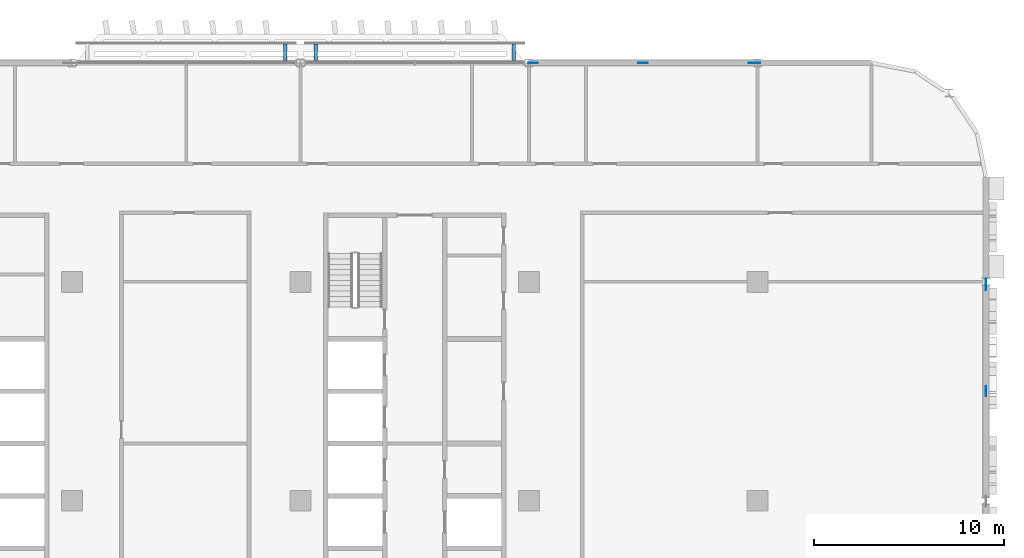
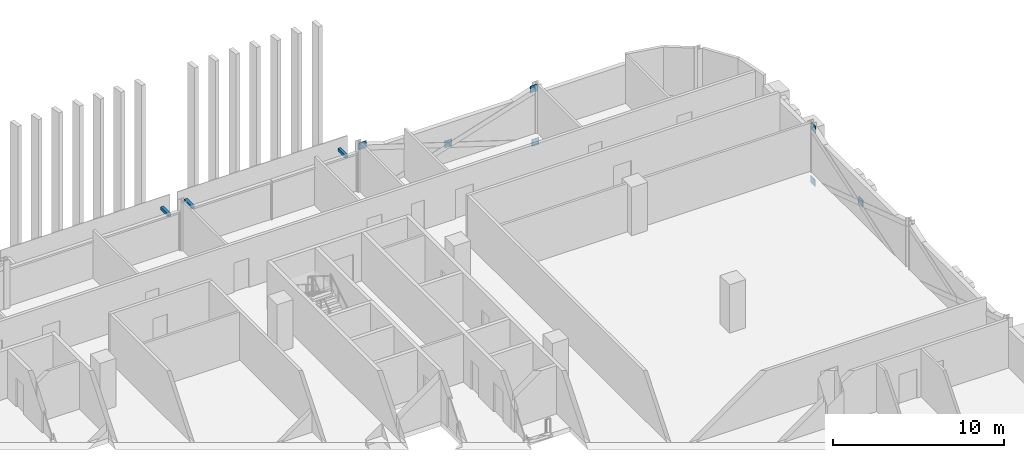
# One storey, part 19 of 28: 10 discrete accessories.
"""IFC4 building model written with IfcOpenShell, lengths in metres."""

from ifc_helpers import new_model, si_unit, direction, frame, origin, origin_2d, place, context, subcontext, project, spatial, rectangle, extrude, material, layer, layer_set, type_object, element, save


model = new_model("IFC4")

# Units and contexts
model_context = context("Model", 3, precision=1e-05, world=origin(), true_north=direction((0.0, 1.0)))
body_context = subcontext(model_context, "Body", "Model", "MODEL_VIEW")
ifc_project = project(units=[si_unit("LENGTHUNIT", "METRE"), si_unit("AREAUNIT", "SQUARE_METRE"), si_unit("VOLUMEUNIT", "CUBIC_METRE"), si_unit("PLANEANGLEUNIT", "RADIAN"), si_unit("MASSUNIT", "GRAM", prefix="KILO")], contexts=[model_context])

# Site, building, storey
site_placement = place(None, origin())
site = spatial("IfcSite", under=ifc_project, at=site_placement, CompositionType="ELEMENT")
building_placement = place(site_placement, origin())
building = spatial("IfcBuilding", under=site, at=building_placement, Name="Mahtab Terrace Research Tower", CompositionType="ELEMENT")
storey_placement = place(building_placement, frame((0.0, 0.0, 193.89990234375)))
storey = spatial("IfcBuildingStorey", under=building, at=storey_placement, Name="L46", CompositionType="ELEMENT", Elevation=193.89990234375)

# Discrete accessories
ifc_material_1 = material(Name="Black anodised aluminium", Category="aluminium")
discrete_accessory_type_1 = type_object("IfcDiscreteAccessoryType", Name="Facade bracket", PredefinedType="BRACKET", material=ifc_material_1)
for number, where, z_axis, x_axis, name in (
    (1, (29.199951171875, 23.5625, 2.48193359375), (0.0, 0.0, 1.0), (-1.0, 0.0, 0.0), "Screen bracket Girih screen L46 N6"),
    (2, (18.800048828125, 23.5625, 2.48193359375), (0.0, 0.0, 1.0), (-1.0, 0.0, 0.0), "Screen bracket Girih screen L46 N6"),
    (3, (17.199951171875, 23.5625, 2.48193359375), (0.0, 0.0, 1.0), (-1.0, 0.0, 0.0), "Screen bracket Girih screen L46 N7"),
):
    element("IfcDiscreteAccessory", number, at=place(storey_placement, frame(where, z_axis=z_axis, x_axis=x_axis)), inside=storey, type_object=discrete_accessory_type_1, Name=name, PredefinedType="BRACKET", context=body_context, shape_type="SweptSolid", body=[
        extrude(rectangle(XDim=0.199951171875, YDim=0.875, at=origin_2d()), origin(), (0.0, 0.0, 1.0), 0.199951171875),
    ])
ifc_material_2 = material(Name="Steel ASTM A992 Gr 50", Category="steel")
ifc_layer = layer(ifc_material_2, 0.030029296875)
ifc_layer_set = layer_set([ifc_layer], Name="Gusset plate 500x500x30")
discrete_accessory_type_2 = type_object("IfcDiscreteAccessoryType", Name="Gusset plate 500x500x30", PredefinedType="USERDEFINED", material=ifc_layer_set)
for number, where, z_axis, x_axis, name in (
    (4, (30.20068359375, 23.0, 2.87109375), (0.0, 0.0, 1.0), (1.0, 0.0, 0.0), "Gusset plate"),
    (5, (36.0, 23.0, 0.970947265625), (0.0, 0.0, 1.0), (1.0, 0.0, 0.0), "Gusset plate"),
    (6, (41.899658203125, 23.0, -0.977783203125), (0.0, 0.0, 1.0), (1.0, 0.0, 0.0), "Gusset plate"),
    (7, (41.79931640625, 23.0, 2.87109375), (0.0, 0.0, 1.0), (1.0, 0.0, 0.0), "Gusset plate"),
    (8, (54.0, 5.75, 0.970947265625), (0.0, 0.0, 1.0), (0.0, 1.0, 0.0), "Gusset plate"),
    (9, (54.0, 11.400390625, -0.976806640625), (0.0, 0.0, 1.0), (0.0, 1.0, 0.0), "Gusset plate"),
    (10, (54.0, 11.300537109375, 2.87109375), (0.0, 0.0, 1.0), (0.0, 1.0, 0.0), "Gusset plate"),
):
    element("IfcDiscreteAccessory", number, at=place(storey_placement, frame(where, z_axis=z_axis, x_axis=x_axis)), inside=storey, type_object=discrete_accessory_type_2, Name=name, ObjectType="GUSSET PLATE", PredefinedType="USERDEFINED", context=body_context, shape_type="SweptSolid", body=[
        extrude(rectangle(XDim=0.5, YDim=0.030029296875, at=origin_2d()), origin(), (0.0, 0.0, 1.0), 0.5),
    ])

save(model, "model.ifc")
